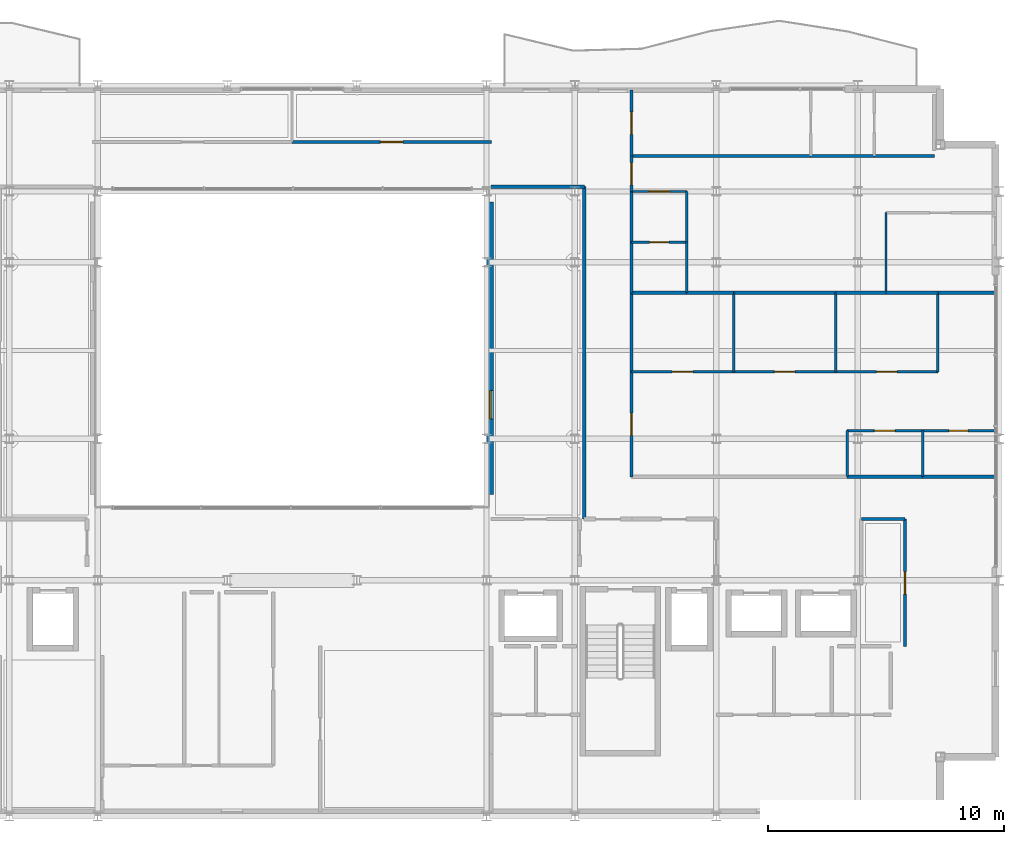
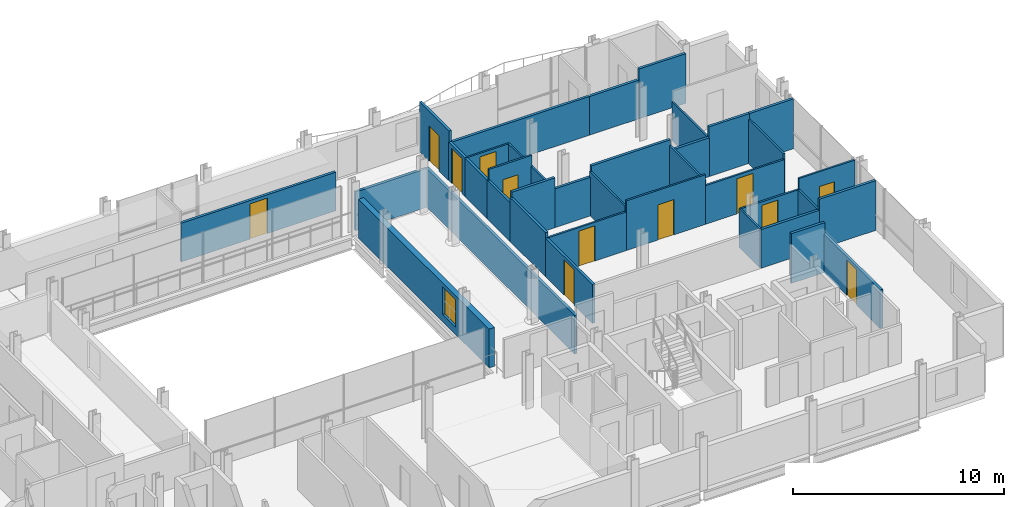
# One storey, part 37 of 41: 38 walls, 12 doors, 1 window, 13 openings.
"""IFC4 building model written with IfcOpenShell, lengths in metres."""

import ifcopenshell
import ifcopenshell.guid

model = None  # the IFC model being written
_history = None  # IfcOwnerHistory: only IFC2X3 demands one
_inside = {}  # id of a spatial element -> (the spatial element, [elements in it])
_under = {}  # id of a project, library or spatial element -> (it, [spatial elements below it])
_declared = {}  # id of a project -> (the project, [libraries it declares])
_typed = {}  # id of a type object -> (the type object, [elements of that type])
_made_of = {}  # id of a material, layer set ... -> (it, [elements and type objects made of it])


def new_model(schema):
    """Start an empty IFC model of exactly this schema.

    Asked for "IFC4X3", IfcOpenShell would pick the latest addendum, in which some entities
    have other attributes; the version numbers below select the first issue.
    IFC2X3 requires an IfcOwnerHistory on every rooted entity: one is made here for all.
    """
    global model, _history
    if schema == "IFC4X3":
        model = ifcopenshell.file(schema_version=(4, 3, 0, 0))
    else:
        model = ifcopenshell.file(schema=schema)
    _inside.clear()
    _under.clear()
    _declared.clear()
    _typed.clear()
    _made_of.clear()
    _history = None
    if model.schema == "IFC2X3":
        org = make("IfcOrganization", Name="unknown")
        user = make(
            "IfcPersonAndOrganization",
            ThePerson=make("IfcPerson", FamilyName="unknown"),
            TheOrganization=org,
        )
        app = make(
            "IfcApplication",
            ApplicationDeveloper=org,
            Version="unknown",
            ApplicationFullName="unknown",
            ApplicationIdentifier="unknown",
        )
        _history = make(
            "IfcOwnerHistory",
            OwningUser=user,
            OwningApplication=app,
            ChangeAction="ADDED",
            CreationDate=0,
        )
    return model


def make(cls, **values):
    """One entity of the class cls with the attributes given. An attribute that is None is left unset."""
    return model.create_entity(
        cls, **{name: value for name, value in values.items() if value is not None}
    )


def rooted(cls, **values):
    """An entity with a GlobalId (a new one), such as an element, a storey or a relation."""
    return make(cls, GlobalId=ifcopenshell.guid.new(), OwnerHistory=_history, **values)


def si_unit(unit_type, name, prefix=None):
    """IfcSIUnit, for example si_unit("LENGTHUNIT", "METRE", prefix="MILLI")."""
    return make("IfcSIUnit", UnitType=unit_type, Prefix=prefix, Name=name)


def assignment(units):
    """IfcUnitAssignment: the units of a project."""
    return None if units is None else make("IfcUnitAssignment", Units=units)


def point(xyz):
    """IfcCartesianPoint."""
    return None if xyz is None else make("IfcCartesianPoint", Coordinates=xyz)


def direction(xyz):
    """IfcDirection."""
    return None if xyz is None else make("IfcDirection", DirectionRatios=xyz)


def frame(location, z_axis=None, x_axis=None):
    """IfcAxis2Placement3D, a coordinate frame: its origin and axes. An axis left out is left unset."""
    return make(
        "IfcAxis2Placement3D",
        Location=point(location),
        Axis=direction(z_axis),
        RefDirection=direction(x_axis),
    )


def frame_2d(location, x_axis=None):
    """IfcAxis2Placement2D, a coordinate frame in the plane: its origin and x axis."""
    return make(
        "IfcAxis2Placement2D", Location=point(location), RefDirection=direction(x_axis)
    )


def origin():
    """The frame at (0, 0, 0) with its axes left unset."""
    return frame((0.0, 0.0, 0.0))


def place(relative_to, where):
    """IfcLocalPlacement: puts the frame where relative to a parent placement (None: the world)."""
    return make(
        "IfcLocalPlacement", PlacementRelTo=relative_to, RelativePlacement=where
    )


def context(
    kind, dimensions, precision=None, world=None, true_north=None, identifier=None
):
    """IfcGeometricRepresentationContext, for example the 3D "Model" context."""
    return make(
        "IfcGeometricRepresentationContext",
        ContextIdentifier=identifier,
        ContextType=kind,
        CoordinateSpaceDimension=dimensions,
        Precision=precision,
        WorldCoordinateSystem=world,
        TrueNorth=true_north,
    )


def subcontext(parent, identifier, kind, view, scale=None):
    """IfcGeometricRepresentationSubContext, for example "Body" below "Model"."""
    return make(
        "IfcGeometricRepresentationSubContext",
        ContextIdentifier=identifier,
        ContextType=kind,
        ParentContext=parent,
        TargetScale=scale,
        TargetView=view,
    )


def project(units=None, contexts=None):
    """IfcProject with its units and contexts."""
    return rooted(
        "IfcProject",
        Name="project",
        RepresentationContexts=contexts,
        UnitsInContext=assignment(units),
    )


def spatial(cls, under=None, at=None, **own):
    """A site, building, storey or space (cls), placed at a placement, below another one or the project."""
    s = rooted(cls, ObjectPlacement=at, **own)
    if under is not None:
        _under.setdefault(under.id(), (under, []))[1].append(s)
    return s


def profile(cls, at=None, kind="AREA", **sizes):
    """A parametric profile (cls). Its sizes go by their IFC names, for example OverallWidth=200.0."""
    return make(cls, ProfileType=kind, Position=at, **sizes)


def rectangle(**sizes):
    """IfcRectangleProfileDef."""
    return profile("IfcRectangleProfileDef", **sizes)


def extrude(swept, where, along, depth):
    """IfcExtrudedAreaSolid: the profile swept, set in the frame where, extruded along a direction by depth."""
    return make(
        "IfcExtrudedAreaSolid",
        SweptArea=swept,
        Position=where,
        ExtrudedDirection=direction(along),
        Depth=depth,
    )


def shape(context_of_items, identifier, shape_type, items):
    """IfcShapeRepresentation: the items that make up one representation, for example the "Body"."""
    return make(
        "IfcShapeRepresentation",
        ContextOfItems=context_of_items,
        RepresentationIdentifier=identifier,
        RepresentationType=shape_type,
        Items=items,
    )


def material(Name=None, Category=None):
    """IfcMaterial."""
    return make("IfcMaterial", Name=Name, Category=Category)


def layer(
    of_material, thickness, ventilated=None, Name=None, Category=None, Priority=None
):
    """IfcMaterialLayer: one layer of a wall or slab, of a material (None: an air gap)."""
    return make(
        "IfcMaterialLayer",
        Material=of_material,
        LayerThickness=thickness,
        IsVentilated=ventilated,
        Name=Name,
        Category=Category,
        Priority=Priority,
    )


def layer_set(layers, Name=None):
    """IfcMaterialLayerSet."""
    return make("IfcMaterialLayerSet", MaterialLayers=layers, LayerSetName=Name)


def made_of(thing, what):
    """Note that an element or type object is made of a material, layer set ...; save() writes the relation."""
    if what is not None:
        _made_of.setdefault(what.id(), (what, []))[1].append(thing)
    return thing


def type_object(cls, material=None, **own):
    """A type object (cls), such as IfcWallType, which elements share."""
    return made_of(rooted(cls, **own), material)


def element(
    cls,
    number,
    at=None,
    inside=None,
    cuts=None,
    type_object=None,
    material=None,
    context=None,
    identifier="Body",
    shape_type=None,
    held_by="IfcProductDefinitionShape",
    body=None,
    shapes=None,
    **own,
):
    """One element of the class cls, such as IfcWall. Its Tag is "e" and its number.

    at: its placement. inside: the storey or other place that contains it. cuts: it is an
    opening in that element (IfcRelVoidsElement). A single representation is given by context,
    identifier, shape_type and body (its items); several are given by shapes. held_by: the class
    of the entity that holds the representations. save() writes the other relations.
    """
    e = rooted(cls, Tag="e%d" % number, ObjectPlacement=at, **own)
    if body is not None:
        shapes = [shape(context, identifier, shape_type, body)]
    if shapes is not None:
        e.Representation = make(held_by, Representations=shapes)
    if inside is not None:
        _inside.setdefault(inside.id(), (inside, []))[1].append(e)
    if cuts is not None:
        rooted(
            "IfcRelVoidsElement", RelatingBuildingElement=cuts, RelatedOpeningElement=e
        )
    if type_object is not None:
        _typed.setdefault(type_object.id(), (type_object, []))[1].append(e)
    return made_of(e, material)


def fill(opening, filler):
    """IfcRelFillsElement: the door or window that sits in an opening."""
    return rooted(
        "IfcRelFillsElement",
        RelatingOpeningElement=opening,
        RelatedBuildingElement=filler,
    )


def aggregate(whole, parts):
    """IfcRelAggregates: a whole, such as a stair, and the parts it consists of."""
    return rooted("IfcRelAggregates", RelatingObject=whole, RelatedObjects=parts)


def save(model, path):
    """Write the relations noted so far, then the file.

    IfcRelAggregates (storeys below a building ...), IfcRelContainedInSpatialStructure (elements
    in a storey), IfcRelDefinesByType, IfcRelAssociatesMaterial and IfcRelDeclares: one each for
    every whole, place, type object, material and project.
    """
    for whole, parts in _under.values():
        aggregate(whole, parts)
    for where, things in _inside.values():
        rooted(
            "IfcRelContainedInSpatialStructure",
            RelatedElements=things,
            RelatingStructure=where,
        )
    for kind, things in _typed.values():
        rooted("IfcRelDefinesByType", RelatedObjects=things, RelatingType=kind)
    for what, things in _made_of.values():
        rooted("IfcRelAssociatesMaterial", RelatedObjects=things, RelatingMaterial=what)
    for by, libraries in _declared.values():
        rooted("IfcRelDeclares", RelatingContext=by, RelatedDefinitions=libraries)
    model.write(path)


model = new_model("IFC4")

# Units and contexts
model_context = context("Model", 3, precision=1e-05, world=origin(), true_north=direction((0.0, 1.0)))
body_context = subcontext(model_context, "Body", "Model", "MODEL_VIEW")
ifc_project = project(units=[si_unit("LENGTHUNIT", "METRE"), si_unit("AREAUNIT", "SQUARE_METRE"), si_unit("VOLUMEUNIT", "CUBIC_METRE"), si_unit("PLANEANGLEUNIT", "RADIAN"), si_unit("MASSUNIT", "GRAM", prefix="KILO")], contexts=[model_context])

# Site, building, storey
site_placement = place(None, origin())
site = spatial("IfcSite", under=ifc_project, at=site_placement, CompositionType="ELEMENT")
building_placement = place(site_placement, origin())
building = spatial("IfcBuilding", under=site, at=building_placement, Name="Brevholm Reach", CompositionType="ELEMENT")
storey_placement = place(building_placement, frame((0.0, 0.0, 157.300048828125)))
storey = spatial("IfcBuildingStorey", under=building, at=storey_placement, Name="L47", CompositionType="ELEMENT", Elevation=157.300048828125)

# Wall, opening, window
ifc_material_1 = material(Name="Concrete C40/50", Category="concrete")
ifc_layer_1 = layer(ifc_material_1, 0.300048828125)
ifc_layer_set_1 = layer_set([ifc_layer_1], Name="Concrete C40/50")
wall_type_1 = type_object("IfcWallType", Name="WAL-EXT-300", PredefinedType="STANDARD", material=ifc_layer_set_1)
wall_1_placement = place(storey_placement, frame((38.39990234375, 13.64990234375, 0.0), z_axis=(0.0, 0.0, 1.0), x_axis=(0.0, 1.0, 0.0)))
wall_1 = element("IfcWall", 1, at=wall_1_placement, inside=storey, type_object=wall_type_1, Name="L47 Facade Wall WAL-L47-AT-E", PredefinedType="STANDARD", context=body_context, shape_type="SweptSolid", body=[
    extrude(rectangle(XDim=12.400146484375, YDim=0.300048828125, at=frame_2d((6.2001953125, 0.0))), origin(), (0.0, 0.0, 1.0), 2.24267578125),
])
opening_1_placement = place(wall_1_placement, frame((3.199951171875, 0.0, 0.423095703125)))
opening_1 = element("IfcOpeningElement", 2, at=opening_1_placement, cuts=wall_1, Name="Opening WN-08", PredefinedType="OPENING", context=body_context, shape_type="SweptSolid", body=[
    extrude(rectangle(XDim=1.199951171875, YDim=1.60009765625, at=frame_2d((0.60009765625, 0.800048828125))), frame((0.0, 0.159912109375, 0.0), z_axis=(0.0, -1.0, 0.0), x_axis=(1.0, 0.0, 0.0)), (0.0, 0.0, 1.0), 0.320068359375),
])
ifc_material_2 = material(Name="Dark Anodised Aluminium and Solar-Control IGU Glass", Category="aluminium")
window_type = type_object("IfcWindowType", Name="WIN-RES-1200", PartitioningType="SINGLE_PANEL", PredefinedType="WINDOW", material=ifc_material_2)
window_placement = place(opening_1_placement, origin())
window = element("IfcWindow", 3, at=window_placement, inside=storey, type_object=window_type, Name="L47 Window WIN-L47-AT-E1", OverallHeight=1.60009765625, OverallWidth=1.199951171875, PartitioningType="SINGLE_PANEL", PredefinedType="WINDOW", context=body_context, shape_type="SweptSolid", body=[
    extrude(rectangle(XDim=1.199951171875, YDim=1.60009765625, at=frame_2d((0.60009765625, 0.800048828125))), frame((0.0, 0.030029296875, 0.0), z_axis=(0.0, -1.0, 0.0), x_axis=(1.0, 0.0, 0.0)), (0.0, 0.0, 1.0), 0.06005859375),
])
fill(opening_1, window)

# Wall
ifc_material_3 = material(Name="Moisture-Resistant Acoustic Gypsum Stud Partition 100 mm", Category="gypsum")
ifc_layer_2 = layer(ifc_material_3, 0.10009765625)
ifc_layer_set_2 = layer_set([ifc_layer_2], Name="Moisture-Resistant Acoustic Gypsum Stud Partition 100 mm")
wall_type_2 = type_object("IfcWallType", Name="WAL-PRT-100", PredefinedType="PARTITIONING", material=ifc_layer_set_2)
wall_2_placement = place(storey_placement, frame((56.75, 14.404052734375, 0.0), z_axis=(0.0, 0.0, 1.0), x_axis=(0.0, 1.0, 0.0)))
element("IfcWall", 4, at=wall_2_placement, inside=storey, type_object=wall_type_2, Name="L47 Internal Partition 102", PredefinedType="PARTITIONING", context=body_context, shape_type="SweptSolid", body=[
    extrude(rectangle(XDim=1.946044921875, YDim=0.10009765625, at=frame_2d((0.97314453125, 0.0))), origin(), (0.0, 0.0, 1.0), 2.24267578125),
])

# Wall, opening, door
wall_3_placement = place(storey_placement, frame((56.75, 16.35009765625, 0.0), z_axis=(0.0, 0.0, 1.0), x_axis=(1.0, 0.0, 0.0)))
wall_3 = element("IfcWall", 5, at=wall_3_placement, inside=storey, type_object=wall_type_2, Name="L47 Internal Partition 103", PredefinedType="PARTITIONING", context=body_context, shape_type="SweptSolid", body=[
    extrude(rectangle(XDim=3.050048828125, YDim=0.10009765625, at=frame_2d((1.52490234375, 0.0))), origin(), (0.0, 0.0, 1.0), 2.8798828125),
])
opening_2_placement = place(wall_3_placement, frame((1.114990234375, 0.0, 0.0)))
opening_2 = element("IfcOpeningElement", 6, at=opening_2_placement, cuts=wall_3, Name="Opening ID-03", PredefinedType="OPENING", context=body_context, shape_type="SweptSolid", body=[
    extrude(rectangle(XDim=0.820068359375, YDim=2.02001953125, at=frame_2d((0.41015625, 1.010009765625))), frame((0.0, 0.06005859375, 0.0), z_axis=(0.0, -1.0, 0.0), x_axis=(1.0, 0.0, 0.0)), (0.0, 0.0, 1.0), 0.1201171875),
])
ifc_material_4 = material(Name="Moisture-Resistant Painted Timber Internal Bathroom Door", Category="wood")
door_type_1 = type_object("IfcDoorType", Name="DOR-BATH-820", OperationType="NOTDEFINED", PredefinedType="DOOR", material=ifc_material_4)
door_1_placement = place(opening_2_placement, origin())
door_1 = element("IfcDoor", 7, at=door_1_placement, inside=storey, type_object=door_type_1, Name="L47 Internal Door 044", OperationType="SINGLE_SWING_RIGHT", OverallHeight=2.02001953125, OverallWidth=0.820068359375, PredefinedType="DOOR", context=body_context, shape_type="SweptSolid", body=[
    extrude(rectangle(XDim=0.820068359375, YDim=2.02001953125, at=frame_2d((0.41015625, 1.010009765625))), frame((0.0, 0.02490234375, 0.0), z_axis=(0.0, -1.0, 0.0), x_axis=(1.0, 0.0, 0.0)), (0.0, 0.0, 1.0), 0.050048828125),
])
fill(opening_2, door_1)

wall_4_placement = place(storey_placement, frame((53.550048828125, 16.35009765625, 0.0), z_axis=(0.0, 0.0, 1.0), x_axis=(1.0, 0.0, 0.0)))
wall_4 = element("IfcWall", 8, at=wall_4_placement, inside=storey, type_object=wall_type_2, Name="L47 Internal Partition 104", PredefinedType="PARTITIONING", context=body_context, shape_type="SweptSolid", body=[
    extrude(rectangle(XDim=3.196044921875, YDim=0.10009765625, at=frame_2d((1.59814453125, 0.0))), origin(), (0.0, 0.0, 1.0), 2.24267578125),
])
opening_3_placement = place(wall_4_placement, frame((1.157958984375, 0.0, 0.0)))
opening_3 = element("IfcOpeningElement", 9, at=opening_3_placement, cuts=wall_4, Name="Opening ID-01", PredefinedType="OPENING", context=body_context, shape_type="SweptSolid", body=[
    extrude(rectangle(XDim=0.8798828125, YDim=2.0400390625, at=frame_2d((0.43994140625, 1.02001953125))), frame((0.0, 0.06005859375, 0.0), z_axis=(0.0, -1.0, 0.0), x_axis=(1.0, 0.0, 0.0)), (0.0, 0.0, 1.0), 0.1201171875),
])
ifc_material_5 = material(Name="Lacquered Ash Solid-Core Acoustic Internal Door", Category="timber")
door_type_2 = type_object("IfcDoorType", Name="DOR-INT-880", OperationType="NOTDEFINED", PredefinedType="DOOR", material=ifc_material_5)
door_2_placement = place(opening_3_placement, origin())
door_2 = element("IfcDoor", 10, at=door_2_placement, inside=storey, type_object=door_type_2, Name="L47 Internal Door 045", OperationType="SINGLE_SWING_LEFT", OverallHeight=2.0400390625, OverallWidth=0.8798828125, PredefinedType="DOOR", context=body_context, shape_type="SweptSolid", body=[
    extrude(rectangle(XDim=0.8798828125, YDim=2.0400390625, at=frame_2d((0.43994140625, 1.02001953125))), frame((0.0, 0.02490234375, 0.0), z_axis=(0.0, -1.0, 0.0), x_axis=(1.0, 0.0, 0.0)), (0.0, 0.0, 1.0), 0.050048828125),
])
fill(opening_3, door_2)

# Walls
wall_5_placement = place(storey_placement, frame((53.550048828125, 14.404052734375, 0.0), z_axis=(0.0, 0.0, 1.0), x_axis=(0.0, 1.0, 0.0)))
element("IfcWall", 11, at=wall_5_placement, inside=storey, type_object=wall_type_2, Name="L47 Internal Partition 105", PredefinedType="PARTITIONING", context=body_context, shape_type="SweptSolid", body=[
    extrude(rectangle(XDim=1.946044921875, YDim=0.10009765625, at=frame_2d((0.97314453125, 0.0))), origin(), (0.0, 0.0, 1.0), 2.24267578125),
])
wall_6_placement = place(storey_placement, frame((48.73291015625, 18.845947265625, 0.0), z_axis=(0.0, 0.0, 1.0), x_axis=(0.0, 1.0, 0.0)))
element("IfcWall", 12, at=wall_6_placement, inside=storey, type_object=wall_type_2, Name="L47 Internal Partition 106", PredefinedType="PARTITIONING", context=body_context, shape_type="SweptSolid", body=[
    extrude(rectangle(XDim=3.35400390625, YDim=0.10009765625, at=frame_2d((1.677001953125, 0.0))), origin(), (0.0, 0.0, 1.0), 2.551513671875),
])

# Wall, opening, door
wall_7_placement = place(storey_placement, frame((44.404052734375, 18.845947265625, 0.0), z_axis=(0.0, 0.0, 1.0), x_axis=(1.0, 0.0, 0.0)))
wall_7 = element("IfcWall", 13, at=wall_7_placement, inside=storey, type_object=wall_type_2, Name="L47 Internal Partition 107", PredefinedType="PARTITIONING", context=body_context, shape_type="SweptSolid", body=[
    extrude(rectangle(XDim=4.328857421875, YDim=0.10009765625, at=frame_2d((2.16455078125, 0.0))), origin(), (0.0, 0.0, 1.0), 2.24267578125),
])
opening_4_placement = place(wall_7_placement, frame((1.724609375, 0.0, 0.0)))
opening_4 = element("IfcOpeningElement", 14, at=opening_4_placement, cuts=wall_7, Name="Opening ID-01", PredefinedType="OPENING", context=body_context, shape_type="SweptSolid", body=[
    extrude(rectangle(XDim=0.8798828125, YDim=2.0400390625, at=frame_2d((0.43994140625, 1.02001953125))), frame((0.0, 0.06005859375, 0.0), z_axis=(0.0, -1.0, 0.0), x_axis=(1.0, 0.0, 0.0)), (0.0, 0.0, 1.0), 0.1201171875),
])
door_3_placement = place(opening_4_placement, origin())
door_3 = element("IfcDoor", 15, at=door_3_placement, inside=storey, type_object=door_type_2, Name="L47 Internal Door 046", OperationType="SINGLE_SWING_RIGHT", OverallHeight=2.0400390625, OverallWidth=0.8798828125, PredefinedType="DOOR", context=body_context, shape_type="SweptSolid", body=[
    extrude(rectangle(XDim=0.8798828125, YDim=2.0400390625, at=frame_2d((0.43994140625, 1.02001953125))), frame((0.0, 0.02490234375, 0.0), z_axis=(0.0, -1.0, 0.0), x_axis=(1.0, 0.0, 0.0)), (0.0, 0.0, 1.0), 0.050048828125),
])
fill(opening_4, door_3)

# Wall
wall_8_placement = place(storey_placement, frame((53.06591796875, 18.845947265625, 0.0), z_axis=(0.0, 0.0, 1.0), x_axis=(0.0, 1.0, 0.0)))
element("IfcWall", 16, at=wall_8_placement, inside=storey, type_object=wall_type_2, Name="L47 Internal Partition 110", PredefinedType="PARTITIONING", context=body_context, shape_type="SweptSolid", body=[
    extrude(rectangle(XDim=3.35400390625, YDim=0.10009765625, at=frame_2d((1.677001953125, 0.0))), origin(), (0.0, 0.0, 1.0), 2.551513671875),
])

# Wall, opening, door
wall_9_placement = place(storey_placement, frame((48.737060546875, 18.845947265625, 0.0), z_axis=(0.0, 0.0, 1.0), x_axis=(1.0, 0.0, 0.0)))
wall_9 = element("IfcWall", 17, at=wall_9_placement, inside=storey, type_object=wall_type_2, Name="L47 Internal Partition 111", PredefinedType="PARTITIONING", context=body_context, shape_type="SweptSolid", body=[
    extrude(rectangle(XDim=4.328857421875, YDim=0.10009765625, at=frame_2d((2.16455078125, 0.0))), origin(), (0.0, 0.0, 1.0), 2.8798828125),
])
opening_5_placement = place(wall_9_placement, frame((1.724609375, 0.0, 0.0)))
opening_5 = element("IfcOpeningElement", 18, at=opening_5_placement, cuts=wall_9, Name="Opening ID-01", PredefinedType="OPENING", context=body_context, shape_type="SweptSolid", body=[
    extrude(rectangle(XDim=0.8798828125, YDim=2.0400390625, at=frame_2d((0.43994140625, 1.02001953125))), frame((0.0, 0.06005859375, 0.0), z_axis=(0.0, -1.0, 0.0), x_axis=(1.0, 0.0, 0.0)), (0.0, 0.0, 1.0), 0.1201171875),
])
door_4_placement = place(opening_5_placement, origin())
door_4 = element("IfcDoor", 19, at=door_4_placement, inside=storey, type_object=door_type_2, Name="L47 Internal Door 047", OperationType="SINGLE_SWING_LEFT", OverallHeight=2.0400390625, OverallWidth=0.8798828125, PredefinedType="DOOR", context=body_context, shape_type="SweptSolid", body=[
    extrude(rectangle(XDim=0.8798828125, YDim=2.0400390625, at=frame_2d((0.43994140625, 1.02001953125))), frame((0.0, 0.02490234375, 0.0), z_axis=(0.0, -1.0, 0.0), x_axis=(1.0, 0.0, 0.0)), (0.0, 0.0, 1.0), 0.050048828125),
])
fill(opening_5, door_4)

wall_10_placement = place(storey_placement, frame((53.070068359375, 18.845947265625, 0.0), z_axis=(0.0, 0.0, 1.0), x_axis=(1.0, 0.0, 0.0)))
wall_10 = element("IfcWall", 20, at=wall_10_placement, inside=storey, type_object=wall_type_2, Name="L47 Internal Partition 113", PredefinedType="PARTITIONING", context=body_context, shape_type="SweptSolid", body=[
    extrude(rectangle(XDim=4.328857421875, YDim=0.10009765625, at=frame_2d((2.16455078125, 0.0))), origin(), (0.0, 0.0, 1.0), 2.24267578125),
])
opening_6_placement = place(wall_10_placement, frame((1.724609375, 0.0, 0.0)))
opening_6 = element("IfcOpeningElement", 21, at=opening_6_placement, cuts=wall_10, Name="Opening ID-01", PredefinedType="OPENING", context=body_context, shape_type="SweptSolid", body=[
    extrude(rectangle(XDim=0.8798828125, YDim=2.0400390625, at=frame_2d((0.43994140625, 1.02001953125))), frame((0.0, 0.06005859375, 0.0), z_axis=(0.0, -1.0, 0.0), x_axis=(1.0, 0.0, 0.0)), (0.0, 0.0, 1.0), 0.1201171875),
])
door_5_placement = place(opening_6_placement, origin())
door_5 = element("IfcDoor", 22, at=door_5_placement, inside=storey, type_object=door_type_2, Name="L47 Internal Door 048", OperationType="SINGLE_SWING_RIGHT", OverallHeight=2.0400390625, OverallWidth=0.8798828125, PredefinedType="DOOR", context=body_context, shape_type="SweptSolid", body=[
    extrude(rectangle(XDim=0.8798828125, YDim=2.0400390625, at=frame_2d((0.43994140625, 1.02001953125))), frame((0.0, 0.02490234375, 0.0), z_axis=(0.0, -1.0, 0.0), x_axis=(1.0, 0.0, 0.0)), (0.0, 0.0, 1.0), 0.050048828125),
])
fill(opening_6, door_5)

# Wall
wall_11_placement = place(storey_placement, frame((57.39892578125, 18.845947265625, 0.0), z_axis=(0.0, 0.0, 1.0), x_axis=(0.0, 1.0, 0.0)))
element("IfcWall", 23, at=wall_11_placement, inside=storey, type_object=wall_type_2, Name="L47 Internal Partition 114", PredefinedType="PARTITIONING", context=body_context, shape_type="SweptSolid", body=[
    extrude(rectangle(XDim=3.35400390625, YDim=0.10009765625, at=frame_2d((1.677001953125, 0.0))), origin(), (0.0, 0.0, 1.0), 2.551513671875),
])

# Wall, opening, door
wall_12_placement = place(storey_placement, frame((44.404052734375, 24.35009765625, 0.0), z_axis=(0.0, 0.0, 1.0), x_axis=(1.0, 0.0, 0.0)))
wall_12 = element("IfcWall", 24, at=wall_12_placement, inside=storey, type_object=wall_type_2, Name="L47 Internal Partition 118", PredefinedType="PARTITIONING", context=body_context, shape_type="SweptSolid", body=[
    extrude(rectangle(XDim=2.345947265625, YDim=0.10009765625, at=frame_2d((1.1728515625, 0.0))), origin(), (0.0, 0.0, 1.0), 2.8798828125),
])
opening_7_placement = place(wall_12_placement, frame((0.762939453125, 0.0, 0.0)))
opening_7 = element("IfcOpeningElement", 25, at=opening_7_placement, cuts=wall_12, Name="Opening ID-03", PredefinedType="OPENING", context=body_context, shape_type="SweptSolid", body=[
    extrude(rectangle(XDim=0.820068359375, YDim=2.02001953125, at=frame_2d((0.41015625, 1.010009765625))), frame((0.0, 0.06005859375, 0.0), z_axis=(0.0, -1.0, 0.0), x_axis=(1.0, 0.0, 0.0)), (0.0, 0.0, 1.0), 0.1201171875),
])
door_6_placement = place(opening_7_placement, origin())
door_6 = element("IfcDoor", 26, at=door_6_placement, inside=storey, type_object=door_type_1, Name="L47 Access Door 053", OperationType="SINGLE_SWING_LEFT", OverallHeight=2.02001953125, OverallWidth=0.820068359375, PredefinedType="DOOR", context=body_context, shape_type="SweptSolid", body=[
    extrude(rectangle(XDim=0.820068359375, YDim=2.02001953125, at=frame_2d((0.41015625, 1.010009765625))), frame((0.0, 0.02490234375, 0.0), z_axis=(0.0, -1.0, 0.0), x_axis=(1.0, 0.0, 0.0)), (0.0, 0.0, 1.0), 0.050048828125),
])
fill(opening_7, door_6)

# Walls
for number, where, z_axis, x_axis, name in (
    (27, (46.75, 22.2041015625, 0.0), (0.0, 0.0, 1.0), (0.0, 1.0, 0.0), "L47 Internal Partition 119"),
    (28, (46.75, 24.35400390625, 0.0), (0.0, 0.0, 1.0), (0.0, 1.0, 0.0), "L47 Internal Partition 120"),
):
    element("IfcWall", number, at=place(storey_placement, frame(where, z_axis=z_axis, x_axis=x_axis)), inside=storey, type_object=wall_type_2, Name=name, PredefinedType="PARTITIONING", context=body_context, shape_type="SweptSolid", body=[
        extrude(rectangle(XDim=2.14599609375, YDim=0.10009765625, at=frame_2d((1.072998046875, 0.0))), origin(), (0.0, 0.0, 1.0), 2.24267578125),
    ])

# Wall, opening, door
wall_13_placement = place(storey_placement, frame((44.404052734375, 26.5, 0.0), z_axis=(0.0, 0.0, 1.0), x_axis=(1.0, 0.0, 0.0)))
wall_13 = element("IfcWall", 29, at=wall_13_placement, inside=storey, type_object=wall_type_2, Name="L47 Internal Partition 121", PredefinedType="PARTITIONING", context=body_context, shape_type="SweptSolid", body=[
    extrude(rectangle(XDim=2.345947265625, YDim=0.10009765625, at=frame_2d((1.1728515625, 0.0))), origin(), (0.0, 0.0, 1.0), 2.24267578125),
])
opening_8_placement = place(wall_13_placement, frame((0.73291015625, 0.0, 0.0)))
opening_8 = element("IfcOpeningElement", 30, at=opening_8_placement, cuts=wall_13, Name="Opening ID-01", PredefinedType="OPENING", context=body_context, shape_type="SweptSolid", body=[
    extrude(rectangle(XDim=0.8798828125, YDim=2.0400390625, at=frame_2d((0.43994140625, 1.02001953125))), frame((0.0, 0.06005859375, 0.0), z_axis=(0.0, -1.0, 0.0), x_axis=(1.0, 0.0, 0.0)), (0.0, 0.0, 1.0), 0.1201171875),
])
door_7_placement = place(opening_8_placement, origin())
door_7 = element("IfcDoor", 31, at=door_7_placement, inside=storey, type_object=door_type_2, Name="L47 Internal Door 049", OperationType="SINGLE_SWING_LEFT", OverallHeight=2.0400390625, OverallWidth=0.8798828125, PredefinedType="DOOR", context=body_context, shape_type="SweptSolid", body=[
    extrude(rectangle(XDim=0.8798828125, YDim=2.0400390625, at=frame_2d((0.43994140625, 1.02001953125))), frame((0.0, 0.02490234375, 0.0), z_axis=(0.0, -1.0, 0.0), x_axis=(1.0, 0.0, 0.0)), (0.0, 0.0, 1.0), 0.050048828125),
])
fill(opening_8, door_7)

# Wall
wall_14_placement = place(storey_placement, frame((55.199951171875, 22.2041015625, 0.0), z_axis=(0.0, 0.0, 1.0), x_axis=(0.0, 1.0, 0.0)))
element("IfcWall", 32, at=wall_14_placement, inside=storey, type_object=wall_type_2, Name="L47 Internal Partition 123", PredefinedType="PARTITIONING", context=body_context, shape_type="SweptSolid", body=[
    extrude(rectangle(XDim=3.39599609375, YDim=0.10009765625, at=frame_2d((1.697998046875, 0.0))), origin(), (0.0, 0.0, 1.0), 2.24267578125),
])

# Wall, opening, door
ifc_material_6 = material(Name="Twin-Stud Acoustic Fire-Rated Gypsum Partition 140 mm", Category="gypsum")
ifc_layer_3 = layer(ifc_material_6, 0.139892578125)
ifc_layer_set_3 = layer_set([ifc_layer_3], Name="Twin-Stud Acoustic Fire-Rated Gypsum Partition 140 mm")
wall_type_3 = type_object("IfcWallType", Name="WAL-PRT-140", PredefinedType="PARTITIONING", material=ifc_layer_set_3)
wall_15_placement = place(storey_placement, frame((56.0, 7.188720703125, 0.0), z_axis=(0.0, 0.0, 1.0), x_axis=(0.0, 1.0, 0.0)))
wall_15 = element("IfcWall", 33, at=wall_15_placement, inside=storey, type_object=wall_type_3, Name="L47 Internal Partition 013", PredefinedType="PARTITIONING", context=body_context, shape_type="SweptSolid", body=[
    extrude(rectangle(XDim=5.411376953125, YDim=0.139892578125, at=frame_2d((2.70556640625, 0.0))), origin(), (0.0, 0.0, 1.0), 2.24267578125),
])
opening_9_placement = place(wall_15_placement, frame((2.230712890625, 0.0, 0.0)))
opening_9 = element("IfcOpeningElement", 34, at=opening_9_placement, cuts=wall_15, Name="Opening ID-30", PredefinedType="OPENING", context=body_context, shape_type="SweptSolid", body=[
    extrude(rectangle(XDim=0.949951171875, YDim=2.050048828125, at=frame_2d((0.47509765625, 1.02490234375))), frame((0.0, 0.079833984375, 0.0), z_axis=(0.0, -1.0, 0.0), x_axis=(1.0, 0.0, 0.0)), (0.0, 0.0, 1.0), 0.159912109375),
])
ifc_material_7 = material(Name="European Oak Veneered Solid-Core Fire Entrance Door", Category="timber")
door_type_3 = type_object("IfcDoorType", Name="DOR-FLT-FD30S", OperationType="NOTDEFINED", PredefinedType="DOOR", material=ifc_material_7)
door_8_placement = place(opening_9_placement, origin())
door_8 = element("IfcDoor", 35, at=door_8_placement, inside=storey, type_object=door_type_3, Name="L47 Internal Door 006", OperationType="SINGLE_SWING_RIGHT", OverallHeight=2.050048828125, OverallWidth=0.949951171875, PredefinedType="DOOR", context=body_context, shape_type="SweptSolid", body=[
    extrude(rectangle(XDim=0.949951171875, YDim=2.050048828125, at=frame_2d((0.47509765625, 1.02490234375))), frame((0.0, 0.02490234375, 0.0), z_axis=(0.0, -1.0, 0.0), x_axis=(1.0, 0.0, 0.0)), (0.0, 0.0, 1.0), 0.050048828125),
])
fill(opening_9, door_8)

# Walls
wall_16_placement = place(storey_placement, frame((54.154052734375, 12.60009765625, 0.0), z_axis=(0.0, 0.0, 1.0), x_axis=(1.0, 0.0, 0.0)))
element("IfcWall", 36, at=wall_16_placement, inside=storey, type_object=wall_type_3, Name="L47 Internal Partition 039", PredefinedType="PARTITIONING", context=body_context, shape_type="SweptSolid", body=[
    extrude(rectangle(XDim=1.842041015625, YDim=0.139892578125, at=frame_2d((0.9208984375, 0.0))), origin(), (0.0, 0.0, 1.0), 2.8798828125),
])
wall_17_placement = place(storey_placement, frame((44.39990234375, 18.834716796875, 0.0), z_axis=(0.0, 0.0, 1.0), x_axis=(0.0, 1.0, 0.0)))
element("IfcWall", 37, at=wall_17_placement, inside=storey, type_object=wall_type_3, Name="L47 Internal Partition 049", PredefinedType="PARTITIONING", context=body_context, shape_type="SweptSolid", body=[
    extrude(rectangle(XDim=3.37646484375, YDim=0.139892578125, at=frame_2d((1.688232421875, 0.0))), origin(), (0.0, 0.0, 1.0), 2.551513671875),
])

# Wall, opening, door
wall_18_placement = place(storey_placement, frame((44.39990234375, 14.392578125, 0.0), z_axis=(0.0, 0.0, 1.0), x_axis=(0.0, 1.0, 0.0)))
wall_18 = element("IfcWall", 38, at=wall_18_placement, inside=storey, type_object=wall_type_3, Name="L47 Internal Partition 050", PredefinedType="PARTITIONING", context=body_context, shape_type="SweptSolid", body=[
    extrude(rectangle(XDim=4.460693359375, YDim=0.139892578125, at=frame_2d((2.23046875, 0.0))), origin(), (0.0, 0.0, 1.0), 2.24267578125),
])
opening_10_placement = place(wall_18_placement, frame((1.75537109375, 0.0, 0.0)))
opening_10 = element("IfcOpeningElement", 39, at=opening_10_placement, cuts=wall_18, Name="Opening ID-30", PredefinedType="OPENING", context=body_context, shape_type="SweptSolid", body=[
    extrude(rectangle(XDim=0.949951171875, YDim=2.050048828125, at=frame_2d((0.47509765625, 1.02490234375))), frame((0.0, 0.079833984375, 0.0), z_axis=(0.0, -1.0, 0.0), x_axis=(1.0, 0.0, 0.0)), (0.0, 0.0, 1.0), 0.159912109375),
])
door_9_placement = place(opening_10_placement, origin())
door_9 = element("IfcDoor", 40, at=door_9_placement, inside=storey, type_object=door_type_3, Name="L47 Internal Door 025", OperationType="SINGLE_SWING_LEFT", OverallHeight=2.050048828125, OverallWidth=0.949951171875, PredefinedType="DOOR", context=body_context, shape_type="SweptSolid", body=[
    extrude(rectangle(XDim=0.949951171875, YDim=2.050048828125, at=frame_2d((0.47509765625, 1.02490234375))), frame((0.0, 0.02490234375, 0.0), z_axis=(0.0, -1.0, 0.0), x_axis=(1.0, 0.0, 0.0)), (0.0, 0.0, 1.0), 0.050048828125),
])
fill(opening_10, door_9)

# Walls
wall_19_placement = place(storey_placement, frame((44.39990234375, 22.192626953125, 0.0), z_axis=(0.0, 0.0, 1.0), x_axis=(0.0, 1.0, 0.0)))
element("IfcWall", 41, at=wall_19_placement, inside=storey, type_object=wall_type_3, Name="L47 Internal Partition 051", PredefinedType="PARTITIONING", context=body_context, shape_type="SweptSolid", body=[
    extrude(rectangle(XDim=2.168701171875, YDim=0.139892578125, at=frame_2d((1.08447265625, 0.0))), origin(), (0.0, 0.0, 1.0), 2.24267578125),
])
wall_20_placement = place(storey_placement, frame((44.39990234375, 24.3427734375, 0.0), z_axis=(0.0, 0.0, 1.0), x_axis=(0.0, 1.0, 0.0)))
element("IfcWall", 42, at=wall_20_placement, inside=storey, type_object=wall_type_3, Name="L47 Internal Partition 052", PredefinedType="PARTITIONING", context=body_context, shape_type="SweptSolid", body=[
    extrude(rectangle(XDim=2.16845703125, YDim=0.139892578125, at=frame_2d((1.084228515625, 0.0))), origin(), (0.0, 0.0, 1.0), 2.24267578125),
])

# Wall, opening, door
wall_21_placement = place(storey_placement, frame((44.39990234375, 26.49267578125, 0.0), z_axis=(0.0, 0.0, 1.0), x_axis=(0.0, 1.0, 0.0)))
wall_21 = element("IfcWall", 43, at=wall_21_placement, inside=storey, type_object=wall_type_3, Name="L47 Internal Partition 053", PredefinedType="PARTITIONING", context=body_context, shape_type="SweptSolid", body=[
    extrude(rectangle(XDim=1.5185546875, YDim=0.139892578125, at=frame_2d((0.75927734375, 0.0))), origin(), (0.0, 0.0, 1.0), 2.24267578125),
])
opening_11_placement = place(wall_21_placement, frame((0.2841796875, 0.0, 0.0)))
opening_11 = element("IfcOpeningElement", 44, at=opening_11_placement, cuts=wall_21, Name="Opening ID-30", PredefinedType="OPENING", context=body_context, shape_type="SweptSolid", body=[
    extrude(rectangle(XDim=0.949951171875, YDim=2.050048828125, at=frame_2d((0.47509765625, 1.02490234375))), frame((0.0, 0.079833984375, 0.0), z_axis=(0.0, -1.0, 0.0), x_axis=(1.0, 0.0, 0.0)), (0.0, 0.0, 1.0), 0.159912109375),
])
door_10_placement = place(opening_11_placement, origin())
door_10 = element("IfcDoor", 45, at=door_10_placement, inside=storey, type_object=door_type_3, Name="L47 Internal Door 026", OperationType="SINGLE_SWING_RIGHT", OverallHeight=2.050048828125, OverallWidth=0.949951171875, PredefinedType="DOOR", context=body_context, shape_type="SweptSolid", body=[
    extrude(rectangle(XDim=0.949951171875, YDim=2.050048828125, at=frame_2d((0.47509765625, 1.02490234375))), frame((0.0, 0.02490234375, 0.0), z_axis=(0.0, -1.0, 0.0), x_axis=(1.0, 0.0, 0.0)), (0.0, 0.0, 1.0), 0.050048828125),
])
fill(opening_11, door_10)

# Wall
wall_22_placement = place(storey_placement, frame((42.39990234375, 12.60400390625, 0.0), z_axis=(0.0, 0.0, 1.0), x_axis=(0.0, 1.0, 0.0)))
element("IfcWall", 46, at=wall_22_placement, inside=storey, type_object=wall_type_3, Name="L47 Internal Partition 054", PredefinedType="PARTITIONING", context=body_context, shape_type="SweptSolid", body=[
    extrude(rectangle(XDim=14.103271484375, YDim=0.139892578125, at=frame_2d((7.0517578125, 0.0))), origin(), (0.0, 0.0, 1.0), 2.24267578125),
])

# Wall, opening, door
wall_23_placement = place(storey_placement, frame((44.39990234375, 27.99267578125, 0.0), z_axis=(0.0, 0.0, 1.0), x_axis=(0.0, 1.0, 0.0)))
wall_23 = element("IfcWall", 47, at=wall_23_placement, inside=storey, type_object=wall_type_3, Name="L47 Internal Partition 055", PredefinedType="PARTITIONING", context=body_context, shape_type="SweptSolid", body=[
    extrude(rectangle(XDim=2.807373046875, YDim=0.139892578125, at=frame_2d((1.40380859375, 0.0))), origin(), (0.0, 0.0, 1.0), 2.8798828125),
])
opening_12_placement = place(wall_23_placement, frame((0.9287109375, 0.0, 0.0)))
opening_12 = element("IfcOpeningElement", 48, at=opening_12_placement, cuts=wall_23, Name="Opening ID-30", PredefinedType="OPENING", context=body_context, shape_type="SweptSolid", body=[
    extrude(rectangle(XDim=0.949951171875, YDim=2.050048828125, at=frame_2d((0.47509765625, 1.02490234375))), frame((0.0, 0.079833984375, 0.0), z_axis=(0.0, -1.0, 0.0), x_axis=(1.0, 0.0, 0.0)), (0.0, 0.0, 1.0), 0.159912109375),
])
door_11_placement = place(opening_12_placement, origin())
door_11 = element("IfcDoor", 49, at=door_11_placement, inside=storey, type_object=door_type_3, Name="L47 Internal Door 027", OperationType="SINGLE_SWING_LEFT", OverallHeight=2.050048828125, OverallWidth=0.949951171875, PredefinedType="DOOR", context=body_context, shape_type="SweptSolid", body=[
    extrude(rectangle(XDim=0.949951171875, YDim=2.050048828125, at=frame_2d((0.47509765625, 1.02490234375))), frame((0.0, 0.02490234375, 0.0), z_axis=(0.0, -1.0, 0.0), x_axis=(1.0, 0.0, 0.0)), (0.0, 0.0, 1.0), 0.050048828125),
])
fill(opening_12, door_11)

# Walls
wall_24_placement = place(storey_placement, frame((56.73876953125, 14.39990234375, 0.0), z_axis=(0.0, 0.0, 1.0), x_axis=(1.0, 0.0, 0.0)))
element("IfcWall", 50, at=wall_24_placement, inside=storey, type_object=wall_type_3, Name="L47 Internal Partition 056", PredefinedType="PARTITIONING", context=body_context, shape_type="SweptSolid", body=[
    extrude(rectangle(XDim=3.072509765625, YDim=0.139892578125, at=frame_2d((1.5361328125, 0.0))), origin(), (0.0, 0.0, 1.0), 2.8798828125),
])
wall_25_placement = place(storey_placement, frame((53.538818359375, 14.39990234375, 0.0), z_axis=(0.0, 0.0, 1.0), x_axis=(1.0, 0.0, 0.0)))
element("IfcWall", 51, at=wall_25_placement, inside=storey, type_object=wall_type_3, Name="L47 Internal Partition 057", PredefinedType="PARTITIONING", context=body_context, shape_type="SweptSolid", body=[
    extrude(rectangle(XDim=3.218505859375, YDim=0.139892578125, at=frame_2d((1.609375, 0.0))), origin(), (0.0, 0.0, 1.0), 2.24267578125),
])
wall_26_placement = place(storey_placement, frame((38.438720703125, 26.699951171875, 0.0), z_axis=(0.0, 0.0, 1.0), x_axis=(1.0, 0.0, 0.0)))
element("IfcWall", 52, at=wall_26_placement, inside=storey, type_object=wall_type_3, Name="L47 Internal Partition 060", PredefinedType="PARTITIONING", context=body_context, shape_type="SweptSolid", body=[
    extrude(rectangle(XDim=3.957275390625, YDim=0.139892578125, at=frame_2d((1.978515625, 0.0))), origin(), (0.0, 0.0, 1.0), 2.24267578125),
])

# Wall, opening, door
wall_27_placement = place(storey_placement, frame((29.99267578125, 28.60009765625, 0.0), z_axis=(0.0, 0.0, 1.0), x_axis=(1.0, 0.0, 0.0)))
wall_27 = element("IfcWall", 53, at=wall_27_placement, inside=storey, type_object=wall_type_3, Name="L47 Internal Partition 062", PredefinedType="PARTITIONING", context=body_context, shape_type="SweptSolid", body=[
    extrude(rectangle(XDim=8.464599609375, YDim=0.139892578125, at=frame_2d((4.232421875, 0.0))), origin(), (0.0, 0.0, 1.0), 2.24267578125),
])
opening_13_placement = place(wall_27_placement, frame((3.75732421875, 0.0, 0.0)))
opening_13 = element("IfcOpeningElement", 54, at=opening_13_placement, cuts=wall_27, Name="Opening ID-30", PredefinedType="OPENING", context=body_context, shape_type="SweptSolid", body=[
    extrude(rectangle(XDim=0.949951171875, YDim=2.050048828125, at=frame_2d((0.47509765625, 1.02490234375))), frame((0.0, 0.079833984375, 0.0), z_axis=(0.0, -1.0, 0.0), x_axis=(1.0, 0.0, 0.0)), (0.0, 0.0, 1.0), 0.159912109375),
])
door_12_placement = place(opening_13_placement, origin())
door_12 = element("IfcDoor", 55, at=door_12_placement, inside=storey, type_object=door_type_3, Name="L47 Internal Door 029", OperationType="SINGLE_SWING_LEFT", OverallHeight=2.050048828125, OverallWidth=0.949951171875, PredefinedType="DOOR", context=body_context, shape_type="SweptSolid", body=[
    extrude(rectangle(XDim=0.949951171875, YDim=2.050048828125, at=frame_2d((0.47509765625, 1.02490234375))), frame((0.0, 0.02490234375, 0.0), z_axis=(0.0, -1.0, 0.0), x_axis=(1.0, 0.0, 0.0)), (0.0, 0.0, 1.0), 0.050048828125),
])
fill(opening_13, door_12)

# Walls
wall_28_placement = place(storey_placement, frame((44.404052734375, 22.199951171875, 0.0), z_axis=(0.0, 0.0, 1.0), x_axis=(1.0, 0.0, 0.0)))
element("IfcWall", 56, at=wall_28_placement, inside=storey, type_object=wall_type_3, Name="L47 Internal Partition 108", PredefinedType="PARTITIONING", context=body_context, shape_type="SweptSolid", body=[
    extrude(rectangle(XDim=2.357177734375, YDim=0.139892578125, at=frame_2d((1.1787109375, 0.0))), origin(), (0.0, 0.0, 1.0), 2.8798828125),
])
wall_29_placement = place(storey_placement, frame((46.74267578125, 22.199951171875, 0.0), z_axis=(0.0, 0.0, 1.0), x_axis=(1.0, 0.0, 0.0)))
element("IfcWall", 57, at=wall_29_placement, inside=storey, type_object=wall_type_3, Name="L47 Internal Partition 109", PredefinedType="PARTITIONING", context=body_context, shape_type="SweptSolid", body=[
    extrude(rectangle(XDim=1.990234375, YDim=0.139892578125, at=frame_2d((0.9951171875, 0.0))), origin(), (0.0, 0.0, 1.0), 2.24267578125),
])
wall_30_placement = place(storey_placement, frame((48.737060546875, 22.199951171875, 0.0), z_axis=(0.0, 0.0, 1.0), x_axis=(1.0, 0.0, 0.0)))
element("IfcWall", 58, at=wall_30_placement, inside=storey, type_object=wall_type_3, Name="L47 Internal Partition 112", PredefinedType="PARTITIONING", context=body_context, shape_type="SweptSolid", body=[
    extrude(rectangle(XDim=4.328857421875, YDim=0.139892578125, at=frame_2d((2.16455078125, 0.0))), origin(), (0.0, 0.0, 1.0), 2.8798828125),
])
wall_31_placement = place(storey_placement, frame((55.188720703125, 22.199951171875, 0.0), z_axis=(0.0, 0.0, 1.0), x_axis=(1.0, 0.0, 0.0)))
element("IfcWall", 59, at=wall_31_placement, inside=storey, type_object=wall_type_3, Name="L47 Internal Partition 115", PredefinedType="PARTITIONING", context=body_context, shape_type="SweptSolid", body=[
    extrude(rectangle(XDim=2.210205078125, YDim=0.139892578125, at=frame_2d((1.10498046875, 0.0))), origin(), (0.0, 0.0, 1.0), 2.8798828125),
])
wall_32_placement = place(storey_placement, frame((53.070068359375, 22.199951171875, 0.0), z_axis=(0.0, 0.0, 1.0), x_axis=(1.0, 0.0, 0.0)))
element("IfcWall", 60, at=wall_32_placement, inside=storey, type_object=wall_type_3, Name="L47 Internal Partition 116", PredefinedType="PARTITIONING", context=body_context, shape_type="SweptSolid", body=[
    extrude(rectangle(XDim=2.13720703125, YDim=0.139892578125, at=frame_2d((1.068603515625, 0.0))), origin(), (0.0, 0.0, 1.0), 2.24267578125),
])
wall_33_placement = place(storey_placement, frame((57.403076171875, 22.199951171875, 0.0), z_axis=(0.0, 0.0, 1.0), x_axis=(1.0, 0.0, 0.0)))
element("IfcWall", 61, at=wall_33_placement, inside=storey, type_object=wall_type_3, Name="L47 Internal Partition 117", PredefinedType="PARTITIONING", context=body_context, shape_type="SweptSolid", body=[
    extrude(rectangle(XDim=2.39697265625, YDim=0.139892578125, at=frame_2d((1.198486328125, 0.0))), origin(), (0.0, 0.0, 1.0), 2.8798828125),
])
wall_34_placement = place(storey_placement, frame((54.688720703125, 28.0, 0.0), z_axis=(0.0, 0.0, 1.0), x_axis=(1.0, 0.0, 0.0)))
element("IfcWall", 62, at=wall_34_placement, inside=storey, type_object=wall_type_3, Name="L47 Internal Partition 124", PredefinedType="PARTITIONING", context=body_context, shape_type="SweptSolid", body=[
    extrude(rectangle(XDim=2.572509765625, YDim=0.139892578125, at=frame_2d((1.2861328125, 0.0))), origin(), (0.0, 0.0, 1.0), 2.8798828125),
])
wall_35_placement = place(storey_placement, frame((51.98876953125, 28.0, 0.0), z_axis=(0.0, 0.0, 1.0), x_axis=(1.0, 0.0, 0.0)))
element("IfcWall", 63, at=wall_35_placement, inside=storey, type_object=wall_type_3, Name="L47 Internal Partition 125", PredefinedType="PARTITIONING", context=body_context, shape_type="SweptSolid", body=[
    extrude(rectangle(XDim=2.718505859375, YDim=0.139892578125, at=frame_2d((1.359375, 0.0))), origin(), (0.0, 0.0, 1.0), 2.24267578125),
])
wall_36_placement = place(storey_placement, frame((44.404052734375, 28.0, 0.0), z_axis=(0.0, 0.0, 1.0), x_axis=(1.0, 0.0, 0.0)))
element("IfcWall", 64, at=wall_36_placement, inside=storey, type_object=wall_type_3, Name="L47 Internal Partition 126", PredefinedType="PARTITIONING", context=body_context, shape_type="SweptSolid", body=[
    extrude(rectangle(XDim=7.603271484375, YDim=0.139892578125, at=frame_2d((3.8017578125, 0.0))), origin(), (0.0, 0.0, 1.0), 2.24267578125),
])

save(model, "model.ifc")
